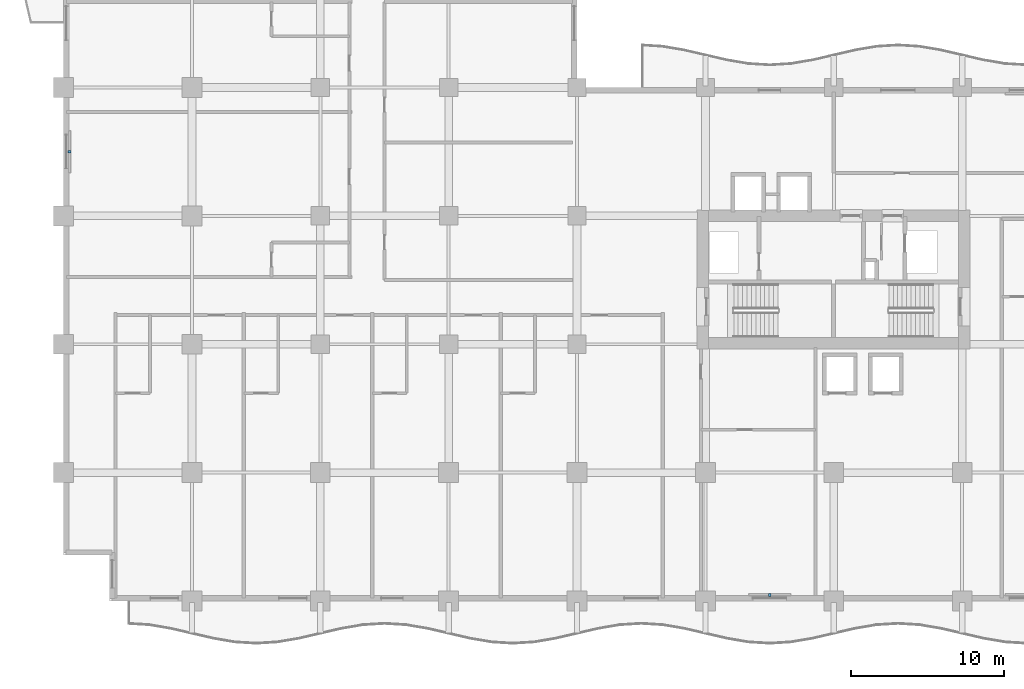
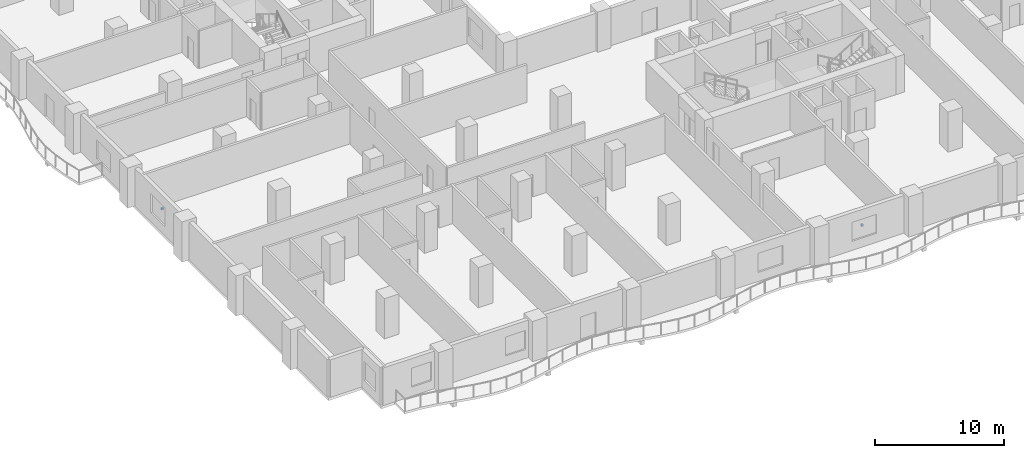
# One storey, part 18 of 24: 2 discrete accessories.
"""IFC4 building model written with IfcOpenShell, lengths in metres."""

from ifc_helpers import new_model, si_unit, direction, frame, origin, origin_2d, place, context, subcontext, project, spatial, rectangle, extrude, material, type_object, element, save


model = new_model("IFC4")

# Units and contexts
model_context = context("Model", 3, precision=1e-05, world=origin(), true_north=direction((0.0, 1.0)))
body_context = subcontext(model_context, "Body", "Model", "MODEL_VIEW")
ifc_project = project(units=[si_unit("LENGTHUNIT", "METRE"), si_unit("AREAUNIT", "SQUARE_METRE"), si_unit("VOLUMEUNIT", "CUBIC_METRE"), si_unit("PLANEANGLEUNIT", "RADIAN"), si_unit("MASSUNIT", "GRAM", prefix="KILO")], contexts=[model_context])

# Site, building, storey
site_placement = place(None, origin())
site = spatial("IfcSite", under=ifc_project, at=site_placement, CompositionType="ELEMENT")
building_placement = place(site_placement, origin())
building = spatial("IfcBuilding", under=site, at=building_placement, Name="Koriwani Terraces Tower", CompositionType="ELEMENT")
storey_placement = place(building_placement, frame((0.0, 0.0, 103.800048828125)))
storey = spatial("IfcBuildingStorey", under=building, at=storey_placement, Name="L24", CompositionType="ELEMENT", Elevation=103.800048828125)

# Discrete accessories
ifc_material = material(Name="Steel ASTM A572 Grade 50", Category="steel")
discrete_accessory_type = type_object("IfcDiscreteAccessoryType", Name="BAGUETTE_STANDOFF_BRACKET", PredefinedType="BRACKET", material=ifc_material)
for number, where, z_axis, x_axis, name in (
    (1, (0.389892578125, 29.39990234375, 1.68505859375), (0.0, 0.0, 1.0), (0.0, 1.0, 0.0), "L24 Terracotta Baguette Bracket (W-9)"),
    (2, (46.199951171875, 0.389892578125, 1.68505859375), (0.0, 0.0, 1.0), (-1.0, 0.0, 0.0), "L24 Terracotta Baguette Bracket (S-15)"),
):
    element("IfcDiscreteAccessory", number, at=place(storey_placement, frame(where, z_axis=z_axis, x_axis=x_axis)), inside=storey, type_object=discrete_accessory_type, Name=name, PredefinedType="BRACKET", context=body_context, shape_type="SweptSolid", body=[
        extrude(rectangle(XDim=0.159912109375, YDim=0.199951171875, at=origin_2d()), origin(), (0.0, 0.0, 1.0), 0.179931640625),
    ])

save(model, "model.ifc")
